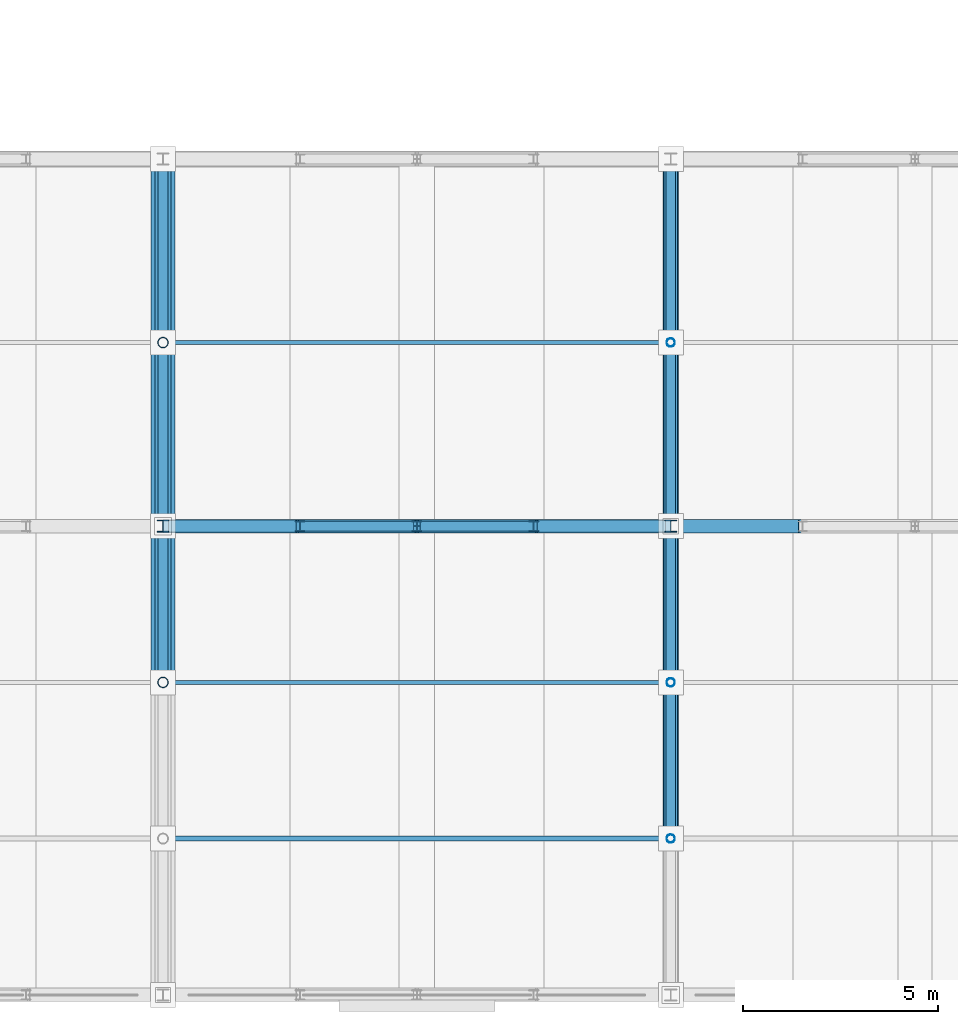
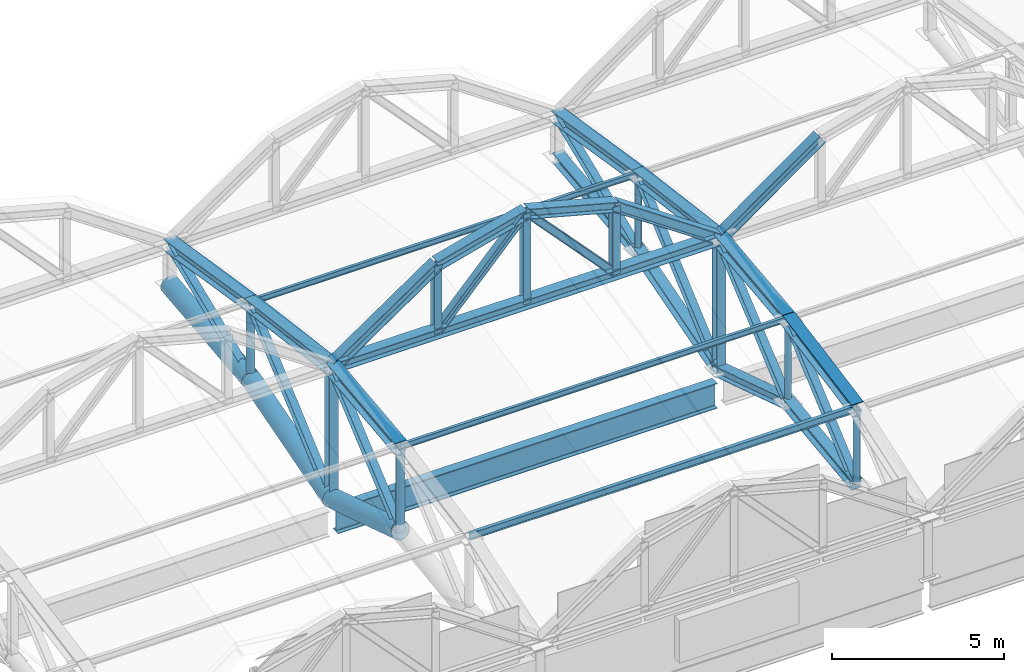
# One storey, part 24 of 117: 42 members, 1 beam.
"""IFC4 building model written with IfcOpenShell, lengths in metres."""

from ifc_helpers import new_model, si_unit, direction, frame, origin, origin_2d, place, context, subcontext, project, spatial, hollow_circle, i_section, extrude, material, material_profile, profile_set, type_object, element, save


model = new_model("IFC4")

# Units and contexts
model_context = context("Model", 3, precision=1e-05, world=origin(), true_north=direction((0.0, 1.0)))
body_context = subcontext(model_context, "Body", "Model", "MODEL_VIEW")
ifc_project = project(units=[si_unit("LENGTHUNIT", "METRE"), si_unit("AREAUNIT", "SQUARE_METRE"), si_unit("VOLUMEUNIT", "CUBIC_METRE"), si_unit("PLANEANGLEUNIT", "RADIAN"), si_unit("MASSUNIT", "GRAM", prefix="KILO")], contexts=[model_context])

# Site, building, storey
site_placement = place(None, origin())
site = spatial("IfcSite", under=ifc_project, at=site_placement, CompositionType="ELEMENT")
building_placement = place(site_placement, origin())
building = spatial("IfcBuilding", under=site, at=building_placement, Name="Kazenohara Klinker Stadium", CompositionType="ELEMENT")
storey_placement = place(building_placement, frame((0.0, 0.0, 31.199951171875)))
storey = spatial("IfcBuildingStorey", under=building, at=storey_placement, Name="RF", CompositionType="ELEMENT", Elevation=31.199951171875)

# Members
ifc_material = material(Name="Steel S355", Category="steel")
ifc_material_profile_1 = material_profile(ifc_material, i_section(OverallWidth=0.25, OverallDepth=0.25, WebThickness=0.009033203125, FlangeThickness=0.013916015625, FilletRadius=0.012939453125, at=origin_2d()), Name="H-250x250x9x14")
ifc_profile_set_1 = profile_set([ifc_material_profile_1], Name="Steel S355")
member_type_1 = type_object("IfcMemberType", Name="MEM-BRC02", PredefinedType="BRACE", material=ifc_profile_set_1)
member_1_placement = place(storey_placement, frame((112.0, 32.0, 1.25), z_axis=(0.0, 0.761925548551, 0.647664618815), x_axis=(-1.0, 0.0, 0.0)))
element("IfcMember", 1, at=member_1_placement, inside=storey, type_object=member_type_1, Name="ROOF TRUSS RT-S05 web diagonal 3", PredefinedType="BRACE", context=body_context, shape_type="SweptSolid", body=[
    extrude(i_section(OverallWidth=0.25, OverallDepth=0.25, WebThickness=0.009033203125, FlangeThickness=0.013916015625, FilletRadius=0.012939453125, at=origin_2d()), origin(), (0.0, 0.0, 1.0), 5.249755859375),
])
member_2_placement = place(storey_placement, frame((112.0, 36.0, -0.02001953125), z_axis=(0.0, 0.755945561544, 0.65463448426), x_axis=(-1.0, 0.0, 0.0)))
element("IfcMember", 2, at=member_2_placement, inside=storey, type_object=member_type_1, Name="ROOF TRUSS RT-S05 web diagonal 4", PredefinedType="BRACE", context=body_context, shape_type="SweptSolid", body=[
    extrude(i_section(OverallWidth=0.25, OverallDepth=0.25, WebThickness=0.009033203125, FlangeThickness=0.013916015625, FilletRadius=0.012939453125, at=origin_2d()), origin(), (0.0, 0.0, 1.0), 6.21728515625),
])
member_3_placement = place(storey_placement, frame((112.0, 40.699951171875, 1.35009765625), z_axis=(0.0, 0.923659284192, 0.383214726655), x_axis=(-1.0, 0.0, 0.0)))
element("IfcMember", 3, at=member_3_placement, inside=storey, type_object=member_type_1, Name="ROOF TRUSS RT-S05 web diagonal 5", PredefinedType="BRACE", context=body_context, shape_type="SweptSolid", body=[
    extrude(i_section(OverallWidth=0.25, OverallDepth=0.25, WebThickness=0.009033203125, FlangeThickness=0.013916015625, FilletRadius=0.012939453125, at=origin_2d()), origin(), (0.0, 0.0, 1.0), 5.08837890625),
])
member_4_placement = place(storey_placement, frame((125.0, 28.0, 0.75), z_axis=(0.0, 0.757253091298, 0.653121547432), x_axis=(-1.0, 0.0, 0.0)))
element("IfcMember", 4, at=member_4_placement, inside=storey, type_object=member_type_1, Name="ROOF TRUSS RT-S06 web diagonal 2", PredefinedType="BRACE", context=body_context, shape_type="SweptSolid", body=[
    extrude(i_section(OverallWidth=0.25, OverallDepth=0.25, WebThickness=0.009033203125, FlangeThickness=0.013916015625, FilletRadius=0.012939453125, at=origin_2d()), origin(), (0.0, 0.0, 1.0), 5.2822265625),
])
member_5_placement = place(storey_placement, frame((125.0, 32.0, 1.25), z_axis=(0.0, 0.761925548551, 0.647664618815), x_axis=(-1.0, 0.0, 0.0)))
element("IfcMember", 5, at=member_5_placement, inside=storey, type_object=member_type_1, Name="ROOF TRUSS RT-S06 web diagonal 3", PredefinedType="BRACE", context=body_context, shape_type="SweptSolid", body=[
    extrude(i_section(OverallWidth=0.25, OverallDepth=0.25, WebThickness=0.009033203125, FlangeThickness=0.013916015625, FilletRadius=0.012939453125, at=origin_2d()), origin(), (0.0, 0.0, 1.0), 5.249755859375),
])
member_6_placement = place(storey_placement, frame((125.0, 36.0, -0.02001953125), z_axis=(0.0, 0.755945561544, 0.65463448426), x_axis=(-1.0, 0.0, 0.0)))
element("IfcMember", 6, at=member_6_placement, inside=storey, type_object=member_type_1, Name="ROOF TRUSS RT-S06 web diagonal 4", PredefinedType="BRACE", context=body_context, shape_type="SweptSolid", body=[
    extrude(i_section(OverallWidth=0.25, OverallDepth=0.25, WebThickness=0.009033203125, FlangeThickness=0.013916015625, FilletRadius=0.012939453125, at=origin_2d()), origin(), (0.0, 0.0, 1.0), 6.21728515625),
])
member_7_placement = place(storey_placement, frame((125.0, 40.699951171875, 1.35009765625), z_axis=(0.0, 0.923659284192, 0.383214726655), x_axis=(-1.0, 0.0, 0.0)))
element("IfcMember", 7, at=member_7_placement, inside=storey, type_object=member_type_1, Name="ROOF TRUSS RT-S06 web diagonal 5", PredefinedType="BRACE", context=body_context, shape_type="SweptSolid", body=[
    extrude(i_section(OverallWidth=0.25, OverallDepth=0.25, WebThickness=0.009033203125, FlangeThickness=0.013916015625, FilletRadius=0.012939453125, at=origin_2d()), origin(), (0.0, 0.0, 1.0), 5.08837890625),
])
ifc_material_profile_2 = material_profile(ifc_material, i_section(OverallWidth=0.39990234375, OverallDepth=0.39990234375, WebThickness=0.012939453125, FlangeThickness=0.02099609375, FilletRadius=0.02197265625, at=origin_2d()), Name="H-400x400x13x21")
ifc_profile_set_2 = profile_set([ifc_material_profile_2], Name="Steel S355")
member_type_2 = type_object("IfcMemberType", Name="MEM-CHD01", PredefinedType="CHORD", material=ifc_profile_set_2)
member_8_placement = place(storey_placement, frame((112.0, 32.0, 4.199951171875), z_axis=(0.0, 0.993725924527, 0.111842688283), x_axis=(-1.0, 0.0, 0.0)))
element("IfcMember", 8, at=member_8_placement, inside=storey, type_object=member_type_2, Name="ROOF TRUSS RT-S05 top arched chord 3", PredefinedType="CHORD", context=body_context, shape_type="SweptSolid", body=[
    extrude(i_section(OverallWidth=0.39990234375, OverallDepth=0.39990234375, WebThickness=0.012939453125, FlangeThickness=0.02099609375, FilletRadius=0.02197265625, at=origin_2d()), origin(), (0.0, 0.0, 1.0), 4.025146484375),
])
member_9_placement = place(storey_placement, frame((112.0, 36.0, 4.650146484375), z_axis=(0.0, 0.99194702514, -0.126653461524), x_axis=(-1.0, 0.0, 0.0)))
element("IfcMember", 9, at=member_9_placement, inside=storey, type_object=member_type_2, Name="ROOF TRUSS RT-S05 top arched chord 4", PredefinedType="CHORD", context=body_context, shape_type="SweptSolid", body=[
    extrude(i_section(OverallWidth=0.39990234375, OverallDepth=0.39990234375, WebThickness=0.012939453125, FlangeThickness=0.02099609375, FilletRadius=0.02197265625, at=origin_2d()), origin(), (0.0, 0.0, 1.0), 4.738037109375),
])
member_10_placement = place(storey_placement, frame((112.0, 40.699951171875, 4.050048828125), z_axis=(0.0, 0.987505848374, -0.157582357602), x_axis=(-1.0, 0.0, 0.0)))
element("IfcMember", 10, at=member_10_placement, inside=storey, type_object=member_type_2, Name="ROOF TRUSS RT-S05 top arched chord 5", PredefinedType="CHORD", context=body_context, shape_type="SweptSolid", body=[
    extrude(i_section(OverallWidth=0.39990234375, OverallDepth=0.39990234375, WebThickness=0.012939453125, FlangeThickness=0.02099609375, FilletRadius=0.02197265625, at=origin_2d()), origin(), (0.0, 0.0, 1.0), 4.759521484375),
])
member_11_placement = place(storey_placement, frame((125.0, 28.0, 3.449951171875), z_axis=(0.0, 0.982872186934, 0.18428853505), x_axis=(-1.0, 0.0, 0.0)))
element("IfcMember", 11, at=member_11_placement, inside=storey, type_object=member_type_2, Name="ROOF TRUSS RT-S06 top arched chord 2", PredefinedType="CHORD", context=body_context, shape_type="SweptSolid", body=[
    extrude(i_section(OverallWidth=0.39990234375, OverallDepth=0.39990234375, WebThickness=0.012939453125, FlangeThickness=0.02099609375, FilletRadius=0.02197265625, at=origin_2d()), origin(), (0.0, 0.0, 1.0), 4.06982421875),
])
member_12_placement = place(storey_placement, frame((125.0, 32.0, 4.199951171875), z_axis=(0.0, 0.993725924527, 0.111842688283), x_axis=(-1.0, 0.0, 0.0)))
element("IfcMember", 12, at=member_12_placement, inside=storey, type_object=member_type_2, Name="ROOF TRUSS RT-S06 top arched chord 3", PredefinedType="CHORD", context=body_context, shape_type="SweptSolid", body=[
    extrude(i_section(OverallWidth=0.39990234375, OverallDepth=0.39990234375, WebThickness=0.012939453125, FlangeThickness=0.02099609375, FilletRadius=0.02197265625, at=origin_2d()), origin(), (0.0, 0.0, 1.0), 4.025146484375),
])
member_13_placement = place(storey_placement, frame((125.0, 36.0, 4.650146484375), z_axis=(0.0, 0.99194702514, -0.126653461524), x_axis=(-1.0, 0.0, 0.0)))
element("IfcMember", 13, at=member_13_placement, inside=storey, type_object=member_type_2, Name="ROOF TRUSS RT-S06 top arched chord 4", PredefinedType="CHORD", context=body_context, shape_type="SweptSolid", body=[
    extrude(i_section(OverallWidth=0.39990234375, OverallDepth=0.39990234375, WebThickness=0.012939453125, FlangeThickness=0.02099609375, FilletRadius=0.02197265625, at=origin_2d()), origin(), (0.0, 0.0, 1.0), 4.738037109375),
])
member_14_placement = place(storey_placement, frame((125.0, 40.699951171875, 4.050048828125), z_axis=(0.0, 0.987505848374, -0.157582357602), x_axis=(-1.0, 0.0, 0.0)))
element("IfcMember", 14, at=member_14_placement, inside=storey, type_object=member_type_2, Name="ROOF TRUSS RT-S06 top arched chord 5", PredefinedType="CHORD", context=body_context, shape_type="SweptSolid", body=[
    extrude(i_section(OverallWidth=0.39990234375, OverallDepth=0.39990234375, WebThickness=0.012939453125, FlangeThickness=0.02099609375, FilletRadius=0.02197265625, at=origin_2d()), origin(), (0.0, 0.0, 1.0), 4.759521484375),
])
ifc_material_profile_3 = material_profile(ifc_material, i_section(OverallWidth=0.35009765625, OverallDepth=0.35009765625, WebThickness=0.011962890625, FlangeThickness=0.01904296875, FilletRadius=0.012939453125, at=origin_2d()), Name="H-350x350x12x19")
ifc_profile_set_3 = profile_set([ifc_material_profile_3], Name="Steel S355")
member_type_3 = type_object("IfcMemberType", Name="MEM-CHD02", PredefinedType="CHORD", material=ifc_profile_set_3)
member_15_placement = place(storey_placement, frame((125.0, 28.0, 0.75), z_axis=(0.0, 0.992277876714, 0.124034734589), x_axis=(-1.0, 0.0, 0.0)))
element("IfcMember", 15, at=member_15_placement, inside=storey, type_object=member_type_3, Name="ROOF TRUSS RT-S06 bottom arched chord 2", PredefinedType="CHORD", context=body_context, shape_type="SweptSolid", body=[
    extrude(i_section(OverallWidth=0.35009765625, OverallDepth=0.35009765625, WebThickness=0.011962890625, FlangeThickness=0.01904296875, FilletRadius=0.012939453125, at=origin_2d()), origin(), (0.0, 0.0, 1.0), 4.03125),
])
member_16_placement = place(storey_placement, frame((125.0, 32.0, 1.25), z_axis=(0.0, 0.953112016541, -0.302617719119), x_axis=(-1.0, 0.0, 0.0)))
element("IfcMember", 16, at=member_16_placement, inside=storey, type_object=member_type_3, Name="ROOF TRUSS RT-S06 bottom arched chord 3", PredefinedType="CHORD", context=body_context, shape_type="SweptSolid", body=[
    extrude(i_section(OverallWidth=0.35009765625, OverallDepth=0.35009765625, WebThickness=0.011962890625, FlangeThickness=0.01904296875, FilletRadius=0.012939453125, at=origin_2d()), origin(), (0.0, 0.0, 1.0), 4.19677734375),
])
member_17_placement = place(storey_placement, frame((125.0, 36.0, -0.02001953125), z_axis=(0.0, 0.960038530088, 0.279867863012), x_axis=(-1.0, 0.0, 0.0)))
element("IfcMember", 17, at=member_17_placement, inside=storey, type_object=member_type_3, Name="ROOF TRUSS RT-S06 bottom arched chord 4", PredefinedType="CHORD", context=body_context, shape_type="SweptSolid", body=[
    extrude(i_section(OverallWidth=0.35009765625, OverallDepth=0.35009765625, WebThickness=0.011962890625, FlangeThickness=0.01904296875, FilletRadius=0.012939453125, at=origin_2d()), origin(), (0.0, 0.0, 1.0), 4.8955078125),
])
member_18_placement = place(storey_placement, frame((125.0, 40.699951171875, 1.35009765625), z_axis=(0.0, 0.99438879757, 0.105787141313), x_axis=(-1.0, 0.0, 0.0)))
element("IfcMember", 18, at=member_18_placement, inside=storey, type_object=member_type_3, Name="ROOF TRUSS RT-S06 bottom arched chord 5", PredefinedType="CHORD", context=body_context, shape_type="SweptSolid", body=[
    extrude(i_section(OverallWidth=0.35009765625, OverallDepth=0.35009765625, WebThickness=0.011962890625, FlangeThickness=0.01904296875, FilletRadius=0.012939453125, at=origin_2d()), origin(), (0.0, 0.0, 1.0), 4.7265625),
])
member_19_placement = place(storey_placement, frame((112.0, 36.0, 4.650146484375), z_axis=(1.0, 0.0, 0.0), x_axis=(0.0, 1.0, 0.0)))
element("IfcMember", 19, at=member_19_placement, inside=storey, type_object=member_type_3, Name="Barrel arch tie chord TC02 S-05-N3", PredefinedType="CHORD", context=body_context, shape_type="SweptSolid", body=[
    extrude(i_section(OverallWidth=0.35009765625, OverallDepth=0.35009765625, WebThickness=0.011962890625, FlangeThickness=0.01904296875, FilletRadius=0.012939453125, at=origin_2d()), origin(), (0.0, 0.0, 1.0), 13.0),
])
member_20_placement = place(storey_placement, frame((112.0, 36.0, 4.650146484375), z_axis=(0.825491711615, 0.0, 0.56441423977), x_axis=(0.0, 1.0, 0.0)))
element("IfcMember", 20, at=member_20_placement, inside=storey, type_object=member_type_3, Name="Barrel arch top rib TC02 S-05-N3-S1", PredefinedType="CHORD", context=body_context, shape_type="SweptSolid", body=[
    extrude(i_section(OverallWidth=0.35009765625, OverallDepth=0.35009765625, WebThickness=0.011962890625, FlangeThickness=0.01904296875, FilletRadius=0.012939453125, at=origin_2d()), origin(), (0.0, 0.0, 1.0), 4.251953125),
])
for number, where, z_axis, x_axis, name in (
    (21, (115.510009765625, 36.0, 7.050048828125), (0.966015959624, 0.0, 0.258482428324), (0.0, 1.0, 0.0), "Barrel arch top rib TC02 S-05-N3-S2"),
    (22, (118.5, 36.0, 7.85009765625), (0.966015959624, 0.0, -0.258482428324), (0.0, 1.0, 0.0), "Barrel arch top rib TC02 S-05-N3-S3"),
):
    element("IfcMember", number, at=place(storey_placement, frame(where, z_axis=z_axis, x_axis=x_axis)), inside=storey, type_object=member_type_3, Name=name, PredefinedType="CHORD", context=body_context, shape_type="SweptSolid", body=[
        extrude(i_section(OverallWidth=0.35009765625, OverallDepth=0.35009765625, WebThickness=0.011962890625, FlangeThickness=0.01904296875, FilletRadius=0.012939453125, at=origin_2d()), origin(), (0.0, 0.0, 1.0), 3.09521484375),
    ])
member_21_placement = place(storey_placement, frame((121.489990234375, 36.0, 7.050048828125), z_axis=(0.825491711615, 0.0, -0.56441423977), x_axis=(0.0, 1.0, 0.0)))
element("IfcMember", 23, at=member_21_placement, inside=storey, type_object=member_type_3, Name="Barrel arch top rib TC02 S-05-N3-S4", PredefinedType="CHORD", context=body_context, shape_type="SweptSolid", body=[
    extrude(i_section(OverallWidth=0.35009765625, OverallDepth=0.35009765625, WebThickness=0.011962890625, FlangeThickness=0.01904296875, FilletRadius=0.012939453125, at=origin_2d()), origin(), (0.0, 0.0, 1.0), 4.251953125),
])
member_22_placement = place(storey_placement, frame((125.0, 36.0, 4.650146484375), z_axis=(0.814966461491, 0.0, 0.579508124744), x_axis=(0.0, 1.0, 0.0)))
element("IfcMember", 24, at=member_22_placement, inside=storey, type_object=member_type_3, Name="Barrel arch top rib TC02 S-06-N3-S1", PredefinedType="CHORD", context=body_context, shape_type="SweptSolid", body=[
    extrude(i_section(OverallWidth=0.35009765625, OverallDepth=0.35009765625, WebThickness=0.011962890625, FlangeThickness=0.01904296875, FilletRadius=0.012939453125, at=origin_2d()), origin(), (0.0, 0.0, 1.0), 4.141357421875),
])
ifc_material_profile_4 = material_profile(ifc_material, hollow_circle(Radius=0.3046875, WallThickness=0.01611328125, at=origin_2d()), Name="CHS-609.6x16")
ifc_profile_set_4 = profile_set([ifc_material_profile_4], Name="Steel S355")
member_type_4 = type_object("IfcMemberType", Name="MEM-CHD05", PredefinedType="CHORD", material=ifc_profile_set_4)
member_23_placement = place(storey_placement, frame((112.0, 32.0, 1.25), z_axis=(0.0, 0.953112016541, -0.302617719119), x_axis=(-1.0, 0.0, 0.0)))
element("IfcMember", 25, at=member_23_placement, inside=storey, type_object=member_type_4, Name="ROOF TRUSS RT-S05 bottom arched chord 3", PredefinedType="CHORD", context=body_context, shape_type="SweptSolid", body=[
    extrude(hollow_circle(Radius=0.3046875, WallThickness=0.01611328125, at=origin_2d()), origin(), (0.0, 0.0, 1.0), 4.19677734375),
])
member_24_placement = place(storey_placement, frame((112.0, 36.0, -0.02001953125), z_axis=(0.0, 0.960038530088, 0.279867863012), x_axis=(-1.0, 0.0, 0.0)))
element("IfcMember", 26, at=member_24_placement, inside=storey, type_object=member_type_4, Name="ROOF TRUSS RT-S05 bottom arched chord 4", PredefinedType="CHORD", context=body_context, shape_type="SweptSolid", body=[
    extrude(hollow_circle(Radius=0.3046875, WallThickness=0.01611328125, at=origin_2d()), origin(), (0.0, 0.0, 1.0), 4.8955078125),
])
member_25_placement = place(storey_placement, frame((112.0, 40.699951171875, 1.35009765625), z_axis=(0.0, 0.99438879757, 0.105787141313), x_axis=(-1.0, 0.0, 0.0)))
element("IfcMember", 27, at=member_25_placement, inside=storey, type_object=member_type_4, Name="ROOF TRUSS RT-S05 bottom arched chord 5", PredefinedType="CHORD", context=body_context, shape_type="SweptSolid", body=[
    extrude(hollow_circle(Radius=0.3046875, WallThickness=0.01611328125, at=origin_2d()), origin(), (0.0, 0.0, 1.0), 4.7265625),
])
ifc_material_profile_5 = material_profile(ifc_material, i_section(OverallWidth=0.125, OverallDepth=0.25, WebThickness=0.006103515625, FlangeThickness=0.009033203125, FilletRadius=0.008056640625, at=origin_2d()), Name="H-250x125x6x9")
ifc_profile_set_5 = profile_set([ifc_material_profile_5], Name="Steel S355")
member_type_5 = type_object("IfcMemberType", Name="MEM-PUR01", PredefinedType="PURLIN", material=ifc_profile_set_5)
member_26_placement = place(storey_placement, frame((112.0, 28.0, 3.469970703125), z_axis=(1.0, 0.0, 0.0), x_axis=(0.0, 1.0, 0.0)))
element("IfcMember", 28, at=member_26_placement, inside=storey, type_object=member_type_5, Name="Canopy valley tie purlin PR01 S-05-N1", PredefinedType="PURLIN", context=body_context, shape_type="SweptSolid", body=[
    extrude(i_section(OverallWidth=0.125, OverallDepth=0.25, WebThickness=0.006103515625, FlangeThickness=0.009033203125, FilletRadius=0.008056640625, at=origin_2d()), origin(), (0.0, 0.0, 1.0), 13.0),
])
ifc_material_profile_6 = material_profile(ifc_material, i_section(OverallWidth=0.10009765625, OverallDepth=0.199951171875, WebThickness=0.005615234375, FlangeThickness=0.008056640625, FilletRadius=0.008056640625, at=origin_2d()), Name="H-200x100x5.5x8")
ifc_profile_set_6 = profile_set([ifc_material_profile_6], Name="Steel S355")
member_type_6 = type_object("IfcMemberType", Name="MEM-PUR02", PredefinedType="PURLIN", material=ifc_profile_set_6)
for number, where, z_axis, x_axis, name in (
    (29, (112.0, 32.0, 4.219970703125), (1.0, 0.0, 0.0), (0.0, 1.0, 0.0), "Canopy valley tie purlin PR02 S-05-N2"),
    (30, (112.0, 40.699951171875, 4.070068359375), (1.0, 0.0, 0.0), (0.0, 1.0, 0.0), "Canopy valley tie purlin PR02 S-05-N4"),
):
    element("IfcMember", number, at=place(storey_placement, frame(where, z_axis=z_axis, x_axis=x_axis)), inside=storey, type_object=member_type_6, Name=name, PredefinedType="PURLIN", context=body_context, shape_type="SweptSolid", body=[
        extrude(i_section(OverallWidth=0.10009765625, OverallDepth=0.199951171875, WebThickness=0.005615234375, FlangeThickness=0.008056640625, FilletRadius=0.008056640625, at=origin_2d()), origin(), (0.0, 0.0, 1.0), 13.0),
    ])
ifc_material_profile_7 = material_profile(ifc_material, i_section(OverallWidth=0.300048828125, OverallDepth=0.300048828125, WebThickness=0.010009765625, FlangeThickness=0.014892578125, FilletRadius=0.012939453125, at=origin_2d()), Name="H-300x300x10x15")
ifc_profile_set_7 = profile_set([ifc_material_profile_7], Name="Steel S355")
member_type_7 = type_object("IfcMemberType", Name="MEM-STR01", PredefinedType="STRUT", material=ifc_profile_set_7)
for number, where, z_axis, x_axis, name in (
    (31, (112.0, 36.0, -0.02001953125), (0.0, 0.0, 1.0), (1.0, 0.0, 0.0), "ROOF TRUSS RT-S05 web post 4"),
    (32, (125.0, 36.0, -0.02001953125), (0.0, 0.0, 1.0), (1.0, 0.0, 0.0), "ROOF TRUSS RT-S06 web post 4"),
):
    element("IfcMember", number, at=place(storey_placement, frame(where, z_axis=z_axis, x_axis=x_axis)), inside=storey, type_object=member_type_7, Name=name, PredefinedType="STRUT", context=body_context, shape_type="SweptSolid", body=[
        extrude(i_section(OverallWidth=0.300048828125, OverallDepth=0.300048828125, WebThickness=0.010009765625, FlangeThickness=0.014892578125, FilletRadius=0.012939453125, at=origin_2d()), origin(), (0.0, 0.0, 1.0), 4.670166015625),
    ])
ifc_material_profile_8 = material_profile(ifc_material, i_section(OverallWidth=0.25, OverallDepth=0.25, WebThickness=0.009033203125, FlangeThickness=0.013916015625, FilletRadius=0.012939453125, at=origin_2d()), Name="H-250x250x9x14")
ifc_profile_set_8 = profile_set([ifc_material_profile_8], Name="Steel S355")
member_type_8 = type_object("IfcMemberType", Name="MEM-STR02", PredefinedType="STRUT", material=ifc_profile_set_8)
member_27_placement = place(storey_placement, frame((115.510009765625, 36.0, 4.650146484375), z_axis=(0.0, 0.0, 1.0), x_axis=(1.0, 0.0, 0.0)))
element("IfcMember", 33, at=member_27_placement, inside=storey, type_object=member_type_8, Name="Barrel arch web post TS02 S-05-N3-P1", PredefinedType="STRUT", context=body_context, shape_type="SweptSolid", body=[
    extrude(i_section(OverallWidth=0.25, OverallDepth=0.25, WebThickness=0.009033203125, FlangeThickness=0.013916015625, FilletRadius=0.012939453125, at=origin_2d()), origin(), (0.0, 0.0, 1.0), 2.39990234375),
])
member_28_placement = place(storey_placement, frame((118.5, 36.0, 4.650146484375), z_axis=(0.0, 0.0, 1.0), x_axis=(1.0, 0.0, 0.0)))
element("IfcMember", 34, at=member_28_placement, inside=storey, type_object=member_type_8, Name="Barrel arch web post TS02 S-05-N3-P2", PredefinedType="STRUT", context=body_context, shape_type="SweptSolid", body=[
    extrude(i_section(OverallWidth=0.25, OverallDepth=0.25, WebThickness=0.009033203125, FlangeThickness=0.013916015625, FilletRadius=0.012939453125, at=origin_2d()), origin(), (0.0, 0.0, 1.0), 3.199951171875),
])
member_29_placement = place(storey_placement, frame((121.489990234375, 36.0, 4.650146484375), z_axis=(0.0, 0.0, 1.0), x_axis=(1.0, 0.0, 0.0)))
element("IfcMember", 35, at=member_29_placement, inside=storey, type_object=member_type_8, Name="Barrel arch web post TS02 S-05-N3-P3", PredefinedType="STRUT", context=body_context, shape_type="SweptSolid", body=[
    extrude(i_section(OverallWidth=0.25, OverallDepth=0.25, WebThickness=0.009033203125, FlangeThickness=0.013916015625, FilletRadius=0.012939453125, at=origin_2d()), origin(), (0.0, 0.0, 1.0), 2.39990234375),
])
for number, where, z_axis, x_axis, name in (
    (36, (115.510009765625, 36.0, 4.650146484375), (0.682729290589, 0.0, 0.730671414366), (0.0, 1.0, 0.0), "Barrel arch web diagonal TS02 S-05-N3-D1"),
    (37, (121.489990234375, 36.0, 4.650146484375), (-0.682729290589, 0.0, 0.730671414366), (0.0, -1.0, 0.0), "Barrel arch web diagonal TS02 S-05-N3-D2"),
):
    element("IfcMember", number, at=place(storey_placement, frame(where, z_axis=z_axis, x_axis=x_axis)), inside=storey, type_object=member_type_8, Name=name, PredefinedType="STRUT", context=body_context, shape_type="SweptSolid", body=[
        extrude(i_section(OverallWidth=0.25, OverallDepth=0.25, WebThickness=0.009033203125, FlangeThickness=0.013916015625, FilletRadius=0.012939453125, at=origin_2d()), origin(), (0.0, 0.0, 1.0), 4.37939453125),
    ])
ifc_material_profile_9 = material_profile(ifc_material, hollow_circle(Radius=0.1337890625, WallThickness=0.009033203125, at=origin_2d()), Name="CHS-267.4x9")
ifc_profile_set_9 = profile_set([ifc_material_profile_9], Name="Steel S355")
member_type_9 = type_object("IfcMemberType", Name="MEM-STR03", PredefinedType="STRUT", material=ifc_profile_set_9)
member_30_placement = place(storey_placement, frame((112.0, 32.0, 1.25), z_axis=(0.0, 0.0, 1.0), x_axis=(1.0, 0.0, 0.0)))
element("IfcMember", 38, at=member_30_placement, inside=storey, type_object=member_type_9, Name="ROOF TRUSS RT-S05 web post 3", PredefinedType="STRUT", context=body_context, shape_type="SweptSolid", body=[
    extrude(hollow_circle(Radius=0.1337890625, WallThickness=0.009033203125, at=origin_2d()), origin(), (0.0, 0.0, 1.0), 2.949951171875),
])
member_31_placement = place(storey_placement, frame((112.0, 40.699951171875, 1.35009765625), z_axis=(0.0, 0.0, 1.0), x_axis=(1.0, 0.0, 0.0)))
element("IfcMember", 39, at=member_31_placement, inside=storey, type_object=member_type_9, Name="ROOF TRUSS RT-S05 web post 5", PredefinedType="STRUT", context=body_context, shape_type="SweptSolid", body=[
    extrude(hollow_circle(Radius=0.1337890625, WallThickness=0.009033203125, at=origin_2d()), origin(), (0.0, 0.0, 1.0), 2.699951171875),
])
ifc_material_profile_10 = material_profile(ifc_material, hollow_circle(Radius=0.108154296875, WallThickness=0.008056640625, at=origin_2d()), Name="CHS-216.3x8")
ifc_profile_set_10 = profile_set([ifc_material_profile_10], Name="Steel S355")
member_type_10 = type_object("IfcMemberType", Name="MEM-STR04", PredefinedType="STRUT", material=ifc_profile_set_10)
member_32_placement = place(storey_placement, frame((125.0, 28.0, 0.75), z_axis=(0.0, 0.0, 1.0), x_axis=(1.0, 0.0, 0.0)))
element("IfcMember", 40, at=member_32_placement, inside=storey, type_object=member_type_10, Name="ROOF TRUSS RT-S06 web post 2", PredefinedType="STRUT", context=body_context, shape_type="SweptSolid", body=[
    extrude(hollow_circle(Radius=0.108154296875, WallThickness=0.008056640625, at=origin_2d()), origin(), (0.0, 0.0, 1.0), 2.699951171875),
])
member_33_placement = place(storey_placement, frame((125.0, 32.0, 1.25), z_axis=(0.0, 0.0, 1.0), x_axis=(1.0, 0.0, 0.0)))
element("IfcMember", 41, at=member_33_placement, inside=storey, type_object=member_type_10, Name="ROOF TRUSS RT-S06 web post 3", PredefinedType="STRUT", context=body_context, shape_type="SweptSolid", body=[
    extrude(hollow_circle(Radius=0.108154296875, WallThickness=0.008056640625, at=origin_2d()), origin(), (0.0, 0.0, 1.0), 2.949951171875),
])
member_34_placement = place(storey_placement, frame((125.0, 40.699951171875, 1.35009765625), z_axis=(0.0, 0.0, 1.0), x_axis=(1.0, 0.0, 0.0)))
element("IfcMember", 42, at=member_34_placement, inside=storey, type_object=member_type_10, Name="ROOF TRUSS RT-S06 web post 5", PredefinedType="STRUT", context=body_context, shape_type="SweptSolid", body=[
    extrude(hollow_circle(Radius=0.108154296875, WallThickness=0.008056640625, at=origin_2d()), origin(), (0.0, 0.0, 1.0), 2.699951171875),
])

# Beam
ifc_material_profile_11 = material_profile(ifc_material, i_section(OverallWidth=0.300048828125, OverallDepth=0.89990234375, WebThickness=0.01611328125, FlangeThickness=0.028076171875, FilletRadius=0.02197265625, at=origin_2d()), Name="H-900x300x16x28")
ifc_profile_set_11 = profile_set([ifc_material_profile_11], Name="Steel S355")
beam_type = type_object("IfcBeamType", Name="RING-RB01", PredefinedType="USERDEFINED", material=ifc_profile_set_11)
beam_placement = place(storey_placement, frame((112.139892578125, 36.0, -0.820068359375), z_axis=(1.0, 0.0, 0.0), x_axis=(0.0, 1.0, 0.0)))
element("IfcBeam", 43, at=beam_placement, inside=storey, type_object=beam_type, Name="Roof ring beam RB01 S-IN 10-11", ObjectType="RING BEAM", PredefinedType="USERDEFINED", context=body_context, shape_type="SweptSolid", body=[
    extrude(i_section(OverallWidth=0.300048828125, OverallDepth=0.89990234375, WebThickness=0.01611328125, FlangeThickness=0.028076171875, FilletRadius=0.02197265625, at=origin_2d()), origin(), (0.0, 0.0, 1.0), 12.72021484375),
])

save(model, "model.ifc")
